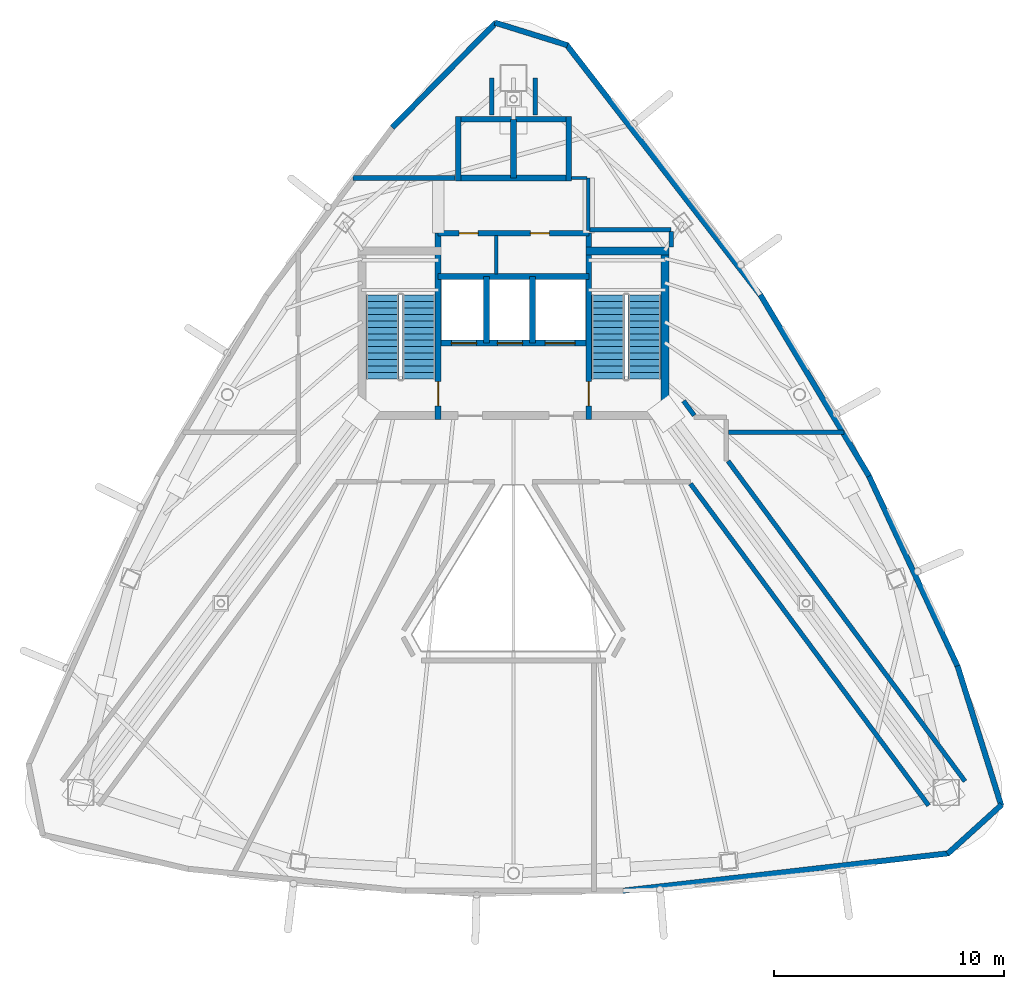
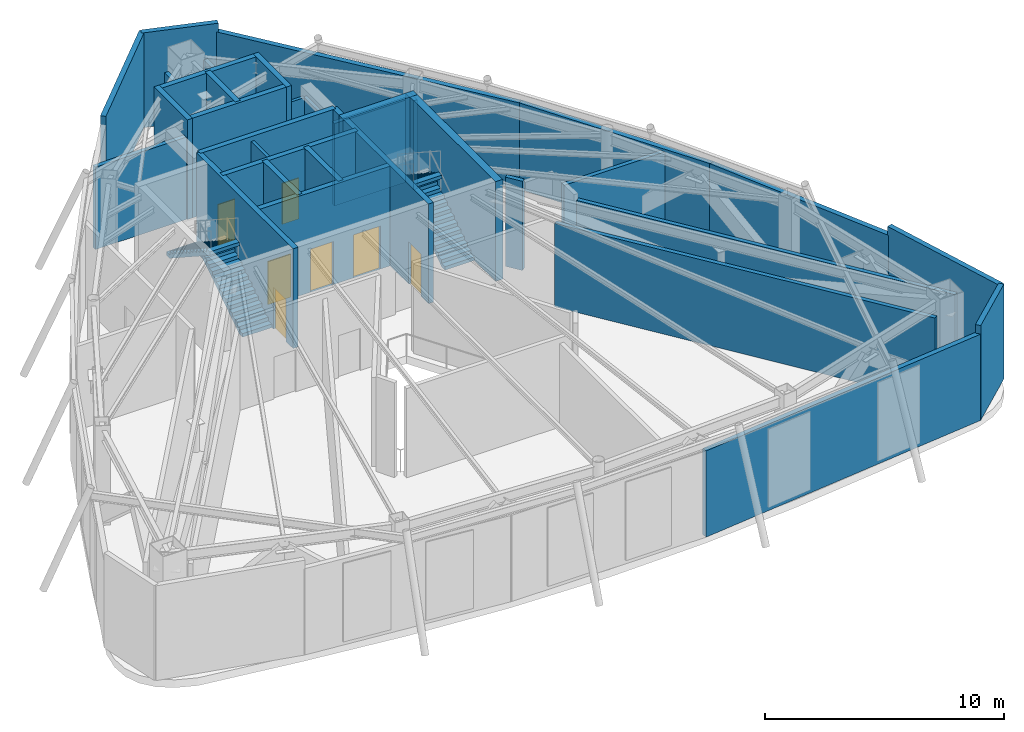
# One storey, part 6 of 9: 34 walls, 7 doors, 4 stair flights, 7 openings, 2 elements without a shape of their own.
"""IFC4 building model written with IfcOpenShell, lengths in metres."""

from ifc_helpers import new_model, si_unit, direction, frame, frame_2d, origin, place, context, subcontext, project, spatial, polyline, rectangle, outline, extrude, material, layer, layer_set, type_object, element, fill, aggregate, save


model = new_model("IFC4")

# Units and contexts
model_context = context("Model", 3, precision=1e-05, world=origin(), true_north=direction((0.0, 1.0)))
body_context = subcontext(model_context, "Body", "Model", "MODEL_VIEW")
ifc_project = project(units=[si_unit("LENGTHUNIT", "METRE"), si_unit("AREAUNIT", "SQUARE_METRE"), si_unit("VOLUMEUNIT", "CUBIC_METRE"), si_unit("PLANEANGLEUNIT", "RADIAN"), si_unit("MASSUNIT", "GRAM", prefix="KILO")], contexts=[model_context])

# Site, building, storey
site_placement = place(None, origin())
site = spatial("IfcSite", under=ifc_project, at=site_placement, CompositionType="ELEMENT")
building_placement = place(site_placement, origin())
building = spatial("IfcBuilding", under=site, at=building_placement, Name="Orvanel Arch Residences", CompositionType="ELEMENT")
storey_placement = place(building_placement, frame((0.0, 0.0, 281.0)))
storey = spatial("IfcBuildingStorey", under=building, at=storey_placement, Name="L80", CompositionType="ELEMENT", Elevation=281.0)

# Walls
ifc_material_1 = material(Name="Precast concrete N50 (50 MPa)", Category="concrete")
ifc_layer_1 = layer(ifc_material_1, 0.239990234375)
ifc_layer_set_1 = layer_set([ifc_layer_1], Name="Precast concrete N50 (50 MPa)")
wall_type_1 = type_object("IfcWallType", Name="EW-BAL-240", PredefinedType="SOLIDWALL", material=ifc_layer_set_1)
wall_1_placement = place(storey_placement, frame((37.68603515625, 6.073974609375, 0.0), z_axis=(0.0, 0.0, 1.0), x_axis=(0.993456918229, 0.114207493722, 0.0)))
element("IfcWall", 1, at=wall_1_placement, inside=storey, type_object=wall_type_1, Name="L80 Plant Acoustic Louvre Wall Face 2C", PredefinedType="SOLIDWALL", context=body_context, shape_type="SweptSolid", body=[
    extrude(rectangle(XDim=14.32470703125, YDim=0.239990234375, at=frame_2d((7.162353515625, 0.0))), origin(), (0.0, 0.0, 1.0), 4.4140625),
])
wall_2_placement = place(storey_placement, frame((52.31689453125, 15.7880859375, 0.0), z_axis=(0.0, 0.0, 1.0), x_axis=(-0.422348394187, 0.906433579435, 0.0)))
element("IfcWall", 2, at=wall_2_placement, inside=storey, type_object=wall_type_1, Name="L80 Plant Acoustic Louvre Wall Face 3A", PredefinedType="SOLIDWALL", context=body_context, shape_type="SweptSolid", body=[
    extrude(rectangle(XDim=9.23388671875, YDim=0.239990234375, at=frame_2d((4.616943359375, 0.0))), origin(), (0.0, 0.0, 1.0), 4.4140625),
])
wall_3_placement = place(storey_placement, frame((48.449951171875, 24.096923828125, 0.0), z_axis=(0.0, 0.0, 1.0), x_axis=(-0.514405830532, 0.857546874238, 0.0)))
element("IfcWall", 3, at=wall_3_placement, inside=storey, type_object=wall_type_1, Name="L80 Plant Acoustic Louvre Wall Face 3B", PredefinedType="SOLIDWALL", context=body_context, shape_type="SweptSolid", body=[
    extrude(rectangle(XDim=9.18310546875, YDim=0.239990234375, at=frame_2d((4.591552734375, 0.0))), origin(), (0.0, 0.0, 1.0), 4.4140625),
])
wall_4_placement = place(storey_placement, frame((43.764892578125, 31.9150390625, 0.0), z_axis=(0.0, 0.0, 1.0), x_axis=(-0.612242581767, 0.790669982402, 0.0)))
element("IfcWall", 4, at=wall_4_placement, inside=storey, type_object=wall_type_1, Name="L80 Plant Acoustic Louvre Wall Face 3C", PredefinedType="SOLIDWALL", context=body_context, shape_type="SweptSolid", body=[
    extrude(rectangle(XDim=13.837646484375, YDim=0.239990234375, at=frame_2d((6.9189453125, 0.0))), origin(), (0.0, 0.0, 1.0), 4.4140625),
])
wall_5_placement = place(storey_placement, frame((35.347900390625, 42.818115234375, 0.0), z_axis=(0.0, 0.0, 1.0), x_axis=(-0.954850251078, 0.29708752585, 0.0)))
element("IfcWall", 5, at=wall_5_placement, inside=storey, type_object=wall_type_1, Name="L80 Plant Corner Enclosure Wall", PredefinedType="SOLIDWALL", context=body_context, shape_type="SweptSolid", body=[
    extrude(rectangle(XDim=3.302001953125, YDim=0.239990234375, at=frame_2d((1.65087890625, 0.0))), origin(), (0.0, 0.0, 1.0), 4.85009765625),
])
wall_6_placement = place(storey_placement, frame((32.2529296875, 43.81396484375, 0.0), z_axis=(0.0, 0.0, 1.0), x_axis=(-0.702723344184, -0.711463211656, 0.0)))
element("IfcWall", 6, at=wall_6_placement, inside=storey, type_object=wall_type_1, Name="L80 Plant Corner Enclosure Wall", PredefinedType="SOLIDWALL", context=body_context, shape_type="SweptSolid", body=[
    extrude(rectangle(XDim=6.4248046875, YDim=0.239990234375, at=frame_2d((3.21240234375, 0.0))), origin(), (0.0, 0.0, 1.0), 4.85009765625),
])
wall_7_placement = place(storey_placement, frame((51.85693359375, 7.68310546875, 0.0), z_axis=(0.0, 0.0, 1.0), x_axis=(0.740561012004, 0.671989127516, 0.0)))
element("IfcWall", 7, at=wall_7_placement, inside=storey, type_object=wall_type_1, Name="L80 Plant Corner Enclosure Wall", PredefinedType="SOLIDWALL", context=body_context, shape_type="SweptSolid", body=[
    extrude(rectangle(XDim=3.182861328125, YDim=0.239990234375, at=frame_2d((1.59130859375, 0.0))), origin(), (0.0, 0.0, 1.0), 4.85009765625),
])
wall_8_placement = place(storey_placement, frame((54.197998046875, 9.764892578125, 0.0), z_axis=(0.0, 0.0, 1.0), x_axis=(-0.298725955942, 0.954338935204, 0.0)))
element("IfcWall", 8, at=wall_8_placement, inside=storey, type_object=wall_type_1, Name="L80 Plant Corner Enclosure Wall", PredefinedType="SOLIDWALL", context=body_context, shape_type="SweptSolid", body=[
    extrude(rectangle(XDim=6.38037109375, YDim=0.239990234375, at=frame_2d((3.190185546875, 0.0))), origin(), (0.0, 0.0, 1.0), 4.85009765625),
])

# Wall, opening, door
ifc_material_2 = material(Name="Concrete N50 (50 MPa)", Category="concrete")
ifc_layer_2 = layer(ifc_material_2, 0.25)
ifc_layer_set_2 = layer_set([ifc_layer_2], Name="Concrete N50 (50 MPa)")
wall_type_2 = type_object("IfcWallType", Name="SW-CORE-250", PredefinedType="SHEAR", material=ifc_layer_set_2)
wall_9_placement = place(storey_placement, frame((29.72509765625, 26.550048828125, 0.0), z_axis=(0.0, 0.0, 1.0), x_axis=(0.0, 1.0, 0.0)))
wall_9 = element("IfcWall", 9, at=wall_9_placement, inside=storey, type_object=wall_type_2, Name="L80 West Inner Core Spine Shear Wall", PredefinedType="SHEAR", context=body_context, shape_type="SweptSolid", body=[
    extrude(rectangle(XDim=8.099853515625, YDim=0.25, at=frame_2d((4.0498046875, 0.0))), origin(), (0.0, 0.0, 1.0), 5.10009765625),
])
opening_1_placement = place(wall_9_placement, frame((0.60009765625, 0.0, 0.0)))
opening_1 = element("IfcOpeningElement", 10, at=opening_1_placement, cuts=wall_9, Name="Opening DF-120", PredefinedType="OPENING", context=body_context, shape_type="SweptSolid", body=[
    extrude(rectangle(XDim=1.050048828125, YDim=2.14990234375, at=frame_2d((0.52490234375, 1.074951171875))), frame((0.0, 0.135009765625, 0.0), z_axis=(0.0, -1.0, 0.0), x_axis=(1.0, 0.0, 0.0)), (0.0, 0.0, 1.0), 0.27001953125),
])
ifc_material_3 = material(Name="Galvanised steel fire-resisting door assembly", Category="steel")
door_type_1 = type_object("IfcDoorType", Name="DR-FD120-1050", OperationType="NOTDEFINED", PredefinedType="DOOR", material=ifc_material_3)
door_1_placement = place(opening_1_placement, origin())
door_1 = element("IfcDoor", 11, at=door_1_placement, inside=storey, type_object=door_type_1, Name="DR-L80-ST1 L80 Stair 1 Fire Door", OperationType="SINGLE_SWING_LEFT", OverallHeight=2.14990234375, OverallWidth=1.050048828125, PredefinedType="DOOR", context=body_context, shape_type="SweptSolid", body=[
    extrude(rectangle(XDim=1.050048828125, YDim=2.14990234375, at=frame_2d((0.52490234375, 1.074951171875))), frame((0.0, 0.02490234375, 0.0), z_axis=(0.0, -1.0, 0.0), x_axis=(1.0, 0.0, 0.0)), (0.0, 0.0, 1.0), 0.050048828125),
])
fill(opening_1, door_1)

wall_10_placement = place(storey_placement, frame((36.27490234375, 26.550048828125, 0.0), z_axis=(0.0, 0.0, 1.0), x_axis=(0.0, 1.0, 0.0)))
wall_10 = element("IfcWall", 12, at=wall_10_placement, inside=storey, type_object=wall_type_2, Name="L80 East Inner Core Spine Shear Wall", PredefinedType="SHEAR", context=body_context, shape_type="SweptSolid", body=[
    extrude(rectangle(XDim=8.099853515625, YDim=0.25, at=frame_2d((4.0498046875, 0.0))), origin(), (0.0, 0.0, 1.0), 5.10009765625),
])
opening_2_placement = place(wall_10_placement, frame((0.60009765625, 0.0, 0.0)))
opening_2 = element("IfcOpeningElement", 13, at=opening_2_placement, cuts=wall_10, Name="Opening DF-120", PredefinedType="OPENING", context=body_context, shape_type="SweptSolid", body=[
    extrude(rectangle(XDim=1.050048828125, YDim=2.14990234375, at=frame_2d((0.52490234375, 1.074951171875))), frame((0.0, 0.135009765625, 0.0), z_axis=(0.0, -1.0, 0.0), x_axis=(1.0, 0.0, 0.0)), (0.0, 0.0, 1.0), 0.27001953125),
])
door_2_placement = place(opening_2_placement, origin())
door_2 = element("IfcDoor", 14, at=door_2_placement, inside=storey, type_object=door_type_1, Name="DR-L80-ST2 L80 Stair 2 Fire Door", OperationType="SINGLE_SWING_RIGHT", OverallHeight=2.14990234375, OverallWidth=1.050048828125, PredefinedType="DOOR", context=body_context, shape_type="SweptSolid", body=[
    extrude(rectangle(XDim=1.050048828125, YDim=2.14990234375, at=frame_2d((0.52490234375, 1.074951171875))), frame((0.0, 0.02490234375, 0.0), z_axis=(0.0, -1.0, 0.0), x_axis=(1.0, 0.0, 0.0)), (0.0, 0.0, 1.0), 0.050048828125),
])
fill(opening_2, door_2)

# Wall, openings, doors
wall_11_placement = place(storey_placement, frame((36.27490234375, 29.875, 0.0), z_axis=(0.0, 0.0, 1.0), x_axis=(-1.0, 0.0, 0.0)))
wall_11 = element("IfcWall", 15, at=wall_11_placement, inside=storey, type_object=wall_type_2, Name="L80 Emergency Lift Front Core Shear Wall", PredefinedType="SHEAR", context=body_context, shape_type="SweptSolid", body=[
    extrude(rectangle(XDim=6.5498046875, YDim=0.25, at=frame_2d((3.27490234375, 0.0))), origin(), (0.0, 0.0, 1.0), 5.10009765625),
])
opening_3_placement = place(wall_11_placement, frame((4.875, 0.0, 0.0)))
opening_3 = element("IfcOpeningElement", 16, at=opening_3_placement, cuts=wall_11, Name="Opening LD-110", PredefinedType="OPENING", context=body_context, shape_type="SweptSolid", body=[
    extrude(rectangle(XDim=1.10009765625, YDim=2.199951171875, at=frame_2d((0.550048828125, 1.10009765625))), frame((0.0, 0.135009765625, 0.0), z_axis=(0.0, -1.0, 0.0), x_axis=(1.0, 0.0, 0.0)), (0.0, 0.0, 1.0), 0.27001953125),
])
opening_4_placement = place(wall_11_placement, frame((2.875, 0.0, 0.0)))
opening_4 = element("IfcOpeningElement", 17, at=opening_4_placement, cuts=wall_11, Name="Opening LD-110", PredefinedType="OPENING", context=body_context, shape_type="SweptSolid", body=[
    extrude(rectangle(XDim=1.10009765625, YDim=2.199951171875, at=frame_2d((0.550048828125, 1.10009765625))), frame((0.0, 0.135009765625, 0.0), z_axis=(0.0, -1.0, 0.0), x_axis=(1.0, 0.0, 0.0)), (0.0, 0.0, 1.0), 0.27001953125),
])
opening_5_placement = place(wall_11_placement, frame((0.60009765625, 0.0, 0.0)))
opening_5 = element("IfcOpeningElement", 18, at=opening_5_placement, cuts=wall_11, Name="Opening LD-130", PredefinedType="OPENING", context=body_context, shape_type="SweptSolid", body=[
    extrude(rectangle(XDim=1.300048828125, YDim=2.199951171875, at=frame_2d((0.64990234375, 1.10009765625))), frame((0.0, 0.135009765625, 0.0), z_axis=(0.0, -1.0, 0.0), x_axis=(1.0, 0.0, 0.0)), (0.0, 0.0, 1.0), 0.27001953125),
])
door_type_2 = type_object("IfcDoorType", Name="DR-LFT-1100", OperationType="NOTDEFINED", PredefinedType="DOOR", material=ifc_material_3)
door_3_placement = place(opening_3_placement, origin())
door_3 = element("IfcDoor", 19, at=door_3_placement, inside=storey, type_object=door_type_2, Name="LD-F1-L80 L80 Lift F1 Sliding Landing Door", OperationType="DOUBLE_DOOR_SLIDING", OverallHeight=2.199951171875, OverallWidth=1.10009765625, PredefinedType="DOOR", context=body_context, shape_type="SweptSolid", body=[
    extrude(rectangle(XDim=1.10009765625, YDim=2.199951171875, at=frame_2d((0.550048828125, 1.10009765625))), frame((0.0, 0.02490234375, 0.0), z_axis=(0.0, -1.0, 0.0), x_axis=(1.0, 0.0, 0.0)), (0.0, 0.0, 1.0), 0.050048828125),
])
fill(opening_3, door_3)
door_4_placement = place(opening_4_placement, origin())
door_4 = element("IfcDoor", 20, at=door_4_placement, inside=storey, type_object=door_type_2, Name="LD-F2-L80 L80 Lift F2 Sliding Landing Door", OperationType="DOUBLE_DOOR_SLIDING", OverallHeight=2.199951171875, OverallWidth=1.10009765625, PredefinedType="DOOR", context=body_context, shape_type="SweptSolid", body=[
    extrude(rectangle(XDim=1.10009765625, YDim=2.199951171875, at=frame_2d((0.550048828125, 1.10009765625))), frame((0.0, 0.02490234375, 0.0), z_axis=(0.0, -1.0, 0.0), x_axis=(1.0, 0.0, 0.0)), (0.0, 0.0, 1.0), 0.050048828125),
])
fill(opening_4, door_4)
door_type_3 = type_object("IfcDoorType", Name="DR-LFT-1300", OperationType="NOTDEFINED", PredefinedType="DOOR", material=ifc_material_3)
door_5_placement = place(opening_5_placement, origin())
door_5 = element("IfcDoor", 21, at=door_5_placement, inside=storey, type_object=door_type_3, Name="LD-G1-L80 L80 Lift G1 Sliding Landing Door", OperationType="DOUBLE_DOOR_SLIDING", OverallHeight=2.199951171875, OverallWidth=1.300048828125, PredefinedType="DOOR", context=body_context, shape_type="SweptSolid", body=[
    extrude(rectangle(XDim=1.300048828125, YDim=2.199951171875, at=frame_2d((0.64990234375, 1.10009765625))), frame((0.0, 0.02490234375, 0.0), z_axis=(0.0, -1.0, 0.0), x_axis=(1.0, 0.0, 0.0)), (0.0, 0.0, 1.0), 0.050048828125),
])
fill(opening_5, door_5)

# Walls
wall_12_placement = place(storey_placement, frame((29.72509765625, 32.77490234375, 0.0), z_axis=(0.0, 0.0, 1.0), x_axis=(1.0, 0.0, 0.0)))
element("IfcWall", 22, at=wall_12_placement, inside=storey, type_object=wall_type_2, Name="L80 Emergency Lift Back Core Shear Wall", PredefinedType="SHEAR", context=body_context, shape_type="SweptSolid", body=[
    extrude(rectangle(XDim=6.5498046875, YDim=0.25, at=frame_2d((3.27490234375, 0.0))), origin(), (0.0, 0.0, 1.0), 5.10009765625),
])
for number, where, z_axis, x_axis, name in (
    (23, (31.824951171875, 29.875, 0.0), (0.0, 0.0, 1.0), (0.0, 1.0, 0.0), "L80 Emergency Lift Inter-Shaft Wall F12"),
    (24, (33.824951171875, 29.875, 0.0), (0.0, 0.0, 1.0), (0.0, 1.0, 0.0), "L80 Emergency Lift Inter-Shaft Wall F2G"),
):
    element("IfcWall", number, at=place(storey_placement, frame(where, z_axis=z_axis, x_axis=x_axis)), inside=storey, type_object=wall_type_2, Name=name, PredefinedType="SHEAR", context=body_context, shape_type="SweptSolid", body=[
        extrude(rectangle(XDim=2.89990234375, YDim=0.25, at=frame_2d((1.449951171875, 0.0))), origin(), (0.0, 0.0, 1.0), 5.10009765625),
    ])

# Wall, openings, doors
wall_13_placement = place(storey_placement, frame((29.72509765625, 34.64990234375, 0.0), z_axis=(0.0, 0.0, 1.0), x_axis=(1.0, 0.0, 0.0)))
wall_13 = element("IfcWall", 25, at=wall_13_placement, inside=storey, type_object=wall_type_2, Name="L80 Core Service Band North Shear Wall", PredefinedType="SHEAR", context=body_context, shape_type="SweptSolid", body=[
    extrude(rectangle(XDim=6.5498046875, YDim=0.25, at=frame_2d((3.27490234375, 0.0))), origin(), (0.0, 0.0, 1.0), 5.10009765625),
])
opening_6_placement = place(wall_13_placement, frame((0.9150390625, 0.0, 0.0)))
opening_6 = element("IfcOpeningElement", 26, at=opening_6_placement, cuts=wall_13, Name="Opening DS-082", PredefinedType="OPENING", context=body_context, shape_type="SweptSolid", body=[
    extrude(rectangle(XDim=0.820068359375, YDim=2.10009765625, at=frame_2d((0.41015625, 1.050048828125))), frame((0.0, 0.135009765625, 0.0), z_axis=(0.0, -1.0, 0.0), x_axis=(1.0, 0.0, 0.0)), (0.0, 0.0, 1.0), 0.27001953125),
])
opening_7_placement = place(wall_13_placement, frame((4.014892578125, 0.0, 0.0)))
opening_7 = element("IfcOpeningElement", 27, at=opening_7_placement, cuts=wall_13, Name="Opening DW-082", PredefinedType="OPENING", context=body_context, shape_type="SweptSolid", body=[
    extrude(rectangle(XDim=0.820068359375, YDim=2.10009765625, at=frame_2d((0.41015625, 1.050048828125))), frame((0.0, 0.135009765625, 0.0), z_axis=(0.0, -1.0, 0.0), x_axis=(1.0, 0.0, 0.0)), (0.0, 0.0, 1.0), 0.27001953125),
])
door_type_4 = type_object("IfcDoorType", Name="DR-SVC-820", OperationType="NOTDEFINED", PredefinedType="DOOR", material=ifc_material_3)
door_6_placement = place(opening_6_placement, origin())
door_6 = element("IfcDoor", 28, at=door_6_placement, inside=storey, type_object=door_type_4, Name="DR-L80-CSVC-1 L80 Floor Cleaner's Store Door", OperationType="SINGLE_SWING_LEFT", OverallHeight=2.10009765625, OverallWidth=0.820068359375, PredefinedType="DOOR", context=body_context, shape_type="SweptSolid", body=[
    extrude(rectangle(XDim=0.820068359375, YDim=2.10009765625, at=frame_2d((0.41015625, 1.050048828125))), frame((0.0, 0.02490234375, 0.0), z_axis=(0.0, -1.0, 0.0), x_axis=(1.0, 0.0, 0.0)), (0.0, 0.0, 1.0), 0.050048828125),
])
fill(opening_6, door_6)
ifc_material_4 = material(Name="Solid-core European oak veneer fire door leaf", Category="wood")
door_type_5 = type_object("IfcDoorType", Name="DR-WET-820", OperationType="NOTDEFINED", PredefinedType="DOOR", material=ifc_material_4)
door_7_placement = place(opening_7_placement, origin())
door_7 = element("IfcDoor", 29, at=door_7_placement, inside=storey, type_object=door_type_5, Name="DR-L80-CSVC-2 L80 Core Accessible WC Door", OperationType="SINGLE_SWING_LEFT", OverallHeight=2.10009765625, OverallWidth=0.820068359375, PredefinedType="DOOR", context=body_context, shape_type="SweptSolid", body=[
    extrude(rectangle(XDim=0.820068359375, YDim=2.10009765625, at=frame_2d((0.41015625, 1.050048828125))), frame((0.0, 0.02490234375, 0.0), z_axis=(0.0, -1.0, 0.0), x_axis=(1.0, 0.0, 0.0)), (0.0, 0.0, 1.0), 0.050048828125),
])
fill(opening_7, door_7)

# Walls
for number, where, z_axis, x_axis, name in (
    (30, (35.52490234375, 37.050048828125, 0.0), (0.0, 0.0, 1.0), (-1.0, 0.0, 0.0), "L80 Passenger Lift Bank Front Shear Wall"),
    (31, (30.47509765625, 39.60009765625, 0.0), (0.0, 0.0, 1.0), (1.0, 0.0, 0.0), "L80 Passenger Lift Bank North Shear Wall"),
):
    element("IfcWall", number, at=place(storey_placement, frame(where, z_axis=z_axis, x_axis=x_axis)), inside=storey, type_object=wall_type_2, Name=name, PredefinedType="SHEAR", context=body_context, shape_type="SweptSolid", body=[
        extrude(rectangle(XDim=5.0498046875, YDim=0.25, at=frame_2d((2.52490234375, 0.0))), origin(), (0.0, 0.0, 1.0), 5.10009765625),
    ])
for number, where, z_axis, x_axis, name in (
    (32, (30.60009765625, 36.925048828125, 0.0), (0.0, 0.0, 1.0), (0.0, 1.0, 0.0), "L80 Passenger Lift Bank West Shear Wall"),
    (33, (35.39990234375, 36.925048828125, 0.0), (0.0, 0.0, 1.0), (0.0, 1.0, 0.0), "L80 Passenger Lift Bank East Shear Wall"),
):
    element("IfcWall", number, at=place(storey_placement, frame(where, z_axis=z_axis, x_axis=x_axis)), inside=storey, type_object=wall_type_2, Name=name, PredefinedType="SHEAR", context=body_context, shape_type="SweptSolid", body=[
        extrude(rectangle(XDim=2.800048828125, YDim=0.25, at=frame_2d((1.39990234375, 0.0))), origin(), (0.0, 0.0, 1.0), 5.10009765625),
    ])
wall_14_placement = place(storey_placement, frame((33.0, 37.050048828125, 0.0), z_axis=(0.0, 0.0, 1.0), x_axis=(0.0, 1.0, 0.0)))
element("IfcWall", 34, at=wall_14_placement, inside=storey, type_object=wall_type_2, Name="L80 Passenger Lift Inter-Shaft Wall P56", PredefinedType="SHEAR", context=body_context, shape_type="SweptSolid", body=[
    extrude(rectangle(XDim=2.550048828125, YDim=0.25, at=frame_2d((1.27490234375, 0.0))), origin(), (0.0, 0.0, 1.0), 5.10009765625),
])
ifc_layer_3 = layer(ifc_material_2, 0.35009765625)
ifc_layer_set_3 = layer_set([ifc_layer_3], Name="Concrete N50 (50 MPa)")
wall_type_3 = type_object("IfcWallType", Name="SW-CORE-350", PredefinedType="SHEAR", material=ifc_layer_set_3)
wall_15_placement = place(storey_placement, frame((39.574951171875, 26.550048828125, 0.0), z_axis=(0.0, 0.0, 1.0), x_axis=(0.0, 1.0, 0.0)))
element("IfcWall", 35, at=wall_15_placement, inside=storey, type_object=wall_type_3, Name="L80 East Stair Shear Wall", PredefinedType="SHEAR", context=body_context, shape_type="SweptSolid", body=[
    extrude(rectangle(XDim=7.5, YDim=0.35009765625, at=frame_2d((3.75, 0.0))), origin(), (0.0, 0.0, 1.0), 5.10009765625),
])
wall_16_placement = place(storey_placement, frame((36.14990234375, 33.875, 0.0), z_axis=(0.0, 0.0, 1.0), x_axis=(1.0, 0.0, 0.0)))
element("IfcWall", 36, at=wall_16_placement, inside=storey, type_object=wall_type_3, Name="L80 East Stair North Shear Wall", PredefinedType="SHEAR", context=body_context, shape_type="SweptSolid", body=[
    extrude(rectangle(XDim=3.60009765625, YDim=0.35009765625, at=frame_2d((1.800048828125, 0.0))), origin(), (0.0, 0.0, 1.0), 5.10009765625),
])
ifc_material_5 = material(Name="Fire-rated plasterboard lined steel stud partition", Category="steel")
ifc_layer_4 = layer(ifc_material_5, 0.14990234375)
ifc_layer_set_4 = layer_set([ifc_layer_4], Name="Fire-rated plasterboard lined steel stud partition")
wall_type_4 = type_object("IfcWallType", Name="W-COR-150", PredefinedType="PARTITIONING", material=ifc_layer_set_4)
wall_17_placement = place(storey_placement, frame((36.25, 34.760009765625, 0.0), z_axis=(0.0, 0.0, 1.0), x_axis=(0.0, 1.0, 0.0)))
element("IfcWall", 37, at=wall_17_placement, inside=storey, type_object=wall_type_4, Name="L80 Passenger Lift Lobby East Closure Wall", PredefinedType="PARTITIONING", context=body_context, shape_type="SweptSolid", body=[
    extrude(rectangle(XDim=2.2900390625, YDim=0.14990234375, at=frame_2d((1.14501953125, 0.0))), origin(), (0.0, 0.0, 1.0), 4.215087890625),
])
wall_18_placement = place(storey_placement, frame((35.52490234375, 37.050048828125, 0.0), z_axis=(0.0, 0.0, 1.0), x_axis=(1.0, 0.0, 0.0)))
element("IfcWall", 38, at=wall_18_placement, inside=storey, type_object=wall_type_4, Name="L80 Passenger Lift Lobby North-East Wall", PredefinedType="PARTITIONING", context=body_context, shape_type="SweptSolid", body=[
    extrude(rectangle(XDim=0.6650390625, YDim=0.14990234375, at=frame_2d((0.33251953125, 0.0))), origin(), (0.0, 0.0, 1.0), 4.215087890625),
])
ifc_layer_5 = layer(ifc_material_5, 0.199951171875)
ifc_layer_set_5 = layer_set([ifc_layer_5], Name="Fire-rated plasterboard lined steel stud partition")
wall_type_5 = type_object("IfcWallType", Name="W-PLT-200", PredefinedType="PARTITIONING", material=ifc_layer_set_5)
wall_19_placement = place(storey_placement, frame((26.0380859375, 37.050048828125, 0.0), z_axis=(0.0, 0.0, 1.0), x_axis=(1.0, 0.0, 0.0)))
element("IfcWall", 39, at=wall_19_placement, inside=storey, type_object=wall_type_5, Name="L80 Core Fire Wall", PredefinedType="PARTITIONING", context=body_context, shape_type="SweptSolid", body=[
    extrude(rectangle(XDim=4.411865234375, YDim=0.199951171875, at=frame_2d((2.2060546875, 0.0))), origin(), (0.0, 0.0, 1.0), 4.215087890625),
])
wall_20_placement = place(storey_placement, frame((36.31005859375, 34.800048828125, 0.0), z_axis=(0.0, 0.0, 1.0), x_axis=(1.0, 0.0, 0.0)))
element("IfcWall", 40, at=wall_20_placement, inside=storey, type_object=wall_type_5, Name="L80 Core Fire Wall", PredefinedType="PARTITIONING", context=body_context, shape_type="SweptSolid", body=[
    extrude(rectangle(XDim=3.5400390625, YDim=0.199951171875, at=frame_2d((1.77001953125, 0.0))), origin(), (0.0, 0.0, 1.0), 4.215087890625),
])
wall_21_placement = place(storey_placement, frame((39.85009765625, 34.715087890625, 0.0), z_axis=(0.0, 0.0, 1.0), x_axis=(0.0, -1.0, 0.0)))
element("IfcWall", 41, at=wall_21_placement, inside=storey, type_object=wall_type_5, Name="L80 Core Fire Wall", PredefinedType="PARTITIONING", context=body_context, shape_type="SweptSolid", body=[
    extrude(rectangle(XDim=0.6650390625, YDim=0.199951171875, at=frame_2d((0.33251953125, 0.0))), origin(), (0.0, 0.0, 1.0), 4.56298828125),
])
for number, where, z_axis, x_axis, name in (
    (42, (32.050048828125, 39.7900390625, 0.0), (0.0, 0.0, 1.0), (0.0, 1.0, 0.0), "L80 Outrigger Truss Fire Enclosure Wall"),
    (43, (33.949951171875, 41.39794921875, 0.0), (0.0, 0.0, 1.0), (0.0, -1.0, 0.0), "L80 Outrigger Truss Fire Enclosure Wall"),
):
    element("IfcWall", number, at=place(storey_placement, frame(where, z_axis=z_axis, x_axis=x_axis)), inside=storey, type_object=wall_type_5, Name=name, PredefinedType="PARTITIONING", context=body_context, shape_type="SweptSolid", body=[
        extrude(rectangle(XDim=1.60791015625, YDim=0.199951171875, at=frame_2d((0.803955078125, 0.0))), origin(), (0.0, 0.0, 1.0), 4.281982421875),
    ])
wall_22_placement = place(storey_placement, frame((40.388916015625, 27.364990234375, 0.0), z_axis=(0.0, 0.0, 1.0), x_axis=(0.594802738681, -0.803871695022, 0.0)))
element("IfcWall", 44, at=wall_22_placement, inside=storey, type_object=wall_type_5, Name="L80 Outrigger Truss Fire Enclosure Wall", PredefinedType="PARTITIONING", context=body_context, shape_type="SweptSolid", body=[
    extrude(rectangle(XDim=0.783447265625, YDim=0.199951171875, at=frame_2d((0.3916015625, 0.0))), origin(), (0.0, 0.0, 1.0), 4.56298828125),
])
wall_23_placement = place(storey_placement, frame((42.323974609375, 24.75, 0.0), z_axis=(0.0, 0.0, 1.0), x_axis=(0.594802346444, -0.803871985247, 0.0)))
element("IfcWall", 45, at=wall_23_placement, inside=storey, type_object=wall_type_5, Name="L80 Outrigger Truss Fire Enclosure Wall", PredefinedType="PARTITIONING", context=body_context, shape_type="SweptSolid", body=[
    extrude(rectangle(XDim=17.304931640625, YDim=0.199951171875, at=frame_2d((8.65234375, 0.0))), origin(), (0.0, 0.0, 1.0), 4.281982421875),
])
wall_24_placement = place(storey_placement, frame((51.0380859375, 9.785888671875, 0.0), z_axis=(0.0, 0.0, 1.0), x_axis=(-0.594979776733, 0.803740670415, 0.0)))
element("IfcWall", 46, at=wall_24_placement, inside=storey, type_object=wall_type_5, Name="L80 Outrigger Truss Fire Enclosure Wall", PredefinedType="PARTITIONING", context=body_context, shape_type="SweptSolid", body=[
    extrude(rectangle(XDim=17.392333984375, YDim=0.199951171875, at=frame_2d((8.6962890625, 0.0))), origin(), (0.0, 0.0, 1.0), 4.281982421875),
])
wall_25_placement = place(storey_placement, frame((42.3349609375, 26.0, 0.0), z_axis=(0.0, 0.0, 1.0), x_axis=(1.0, 0.0, 0.0)))
element("IfcWall", 47, at=wall_25_placement, inside=storey, type_object=wall_type_5, Name="L80 Fire Compartment Wall", PredefinedType="PARTITIONING", context=body_context, shape_type="SweptSolid", body=[
    extrude(rectangle(XDim=5.031982421875, YDim=0.199951171875, at=frame_2d((2.51611328125, 0.0))), origin(), (0.0, 0.0, 1.0), 4.281982421875),
])
ifc_layer_6 = layer(ifc_material_5, 0.14990234375)
ifc_layer_set_6 = layer_set([ifc_layer_6], Name="Fire-rated plasterboard lined steel stud partition")
wall_type_6 = type_object("IfcWallType", Name="W-ST-150", PredefinedType="PARTITIONING", material=ifc_layer_set_6)
wall_26_placement = place(storey_placement, frame((32.25, 32.885009765625, 0.0), z_axis=(0.0, 0.0, 1.0), x_axis=(0.0, 1.0, 0.0)))
element("IfcWall", 48, at=wall_26_placement, inside=storey, type_object=wall_type_6, Name="L80 Core Service Partition 1", PredefinedType="PARTITIONING", context=body_context, shape_type="SweptSolid", body=[
    extrude(rectangle(XDim=1.655029296875, YDim=0.14990234375, at=frame_2d((0.82763671875, 0.0))), origin(), (0.0, 0.0, 1.0), 4.85009765625),
])

# Stair, stair flights
stair_type = type_object("IfcStairType", Name="STR-DOG-181", PredefinedType="USERDEFINED", material=ifc_material_1)
stair_1_placement = place(storey_placement, origin())
stair_1 = element("IfcStair", 49, at=stair_1_placement, inside=storey, type_object=stair_type, Name="L80 Fire-Isolated Core Exit Stair 1", ObjectType="TWO_RETURN_STAIR", PredefinedType="USERDEFINED")
stair_flight_type_1 = type_object("IfcStairFlightType", Name="SFL-C1-181", PredefinedType="STRAIGHT", material=ifc_material_1)
stair_flight_1_placement = place(storey_placement, frame((28.889892578125, 28.320068359375, 0.0), z_axis=(0.0, 0.0, 1.0), x_axis=(0.0, 1.0, 0.0)))
stair_flight_1 = element("IfcStairFlight", 50, at=stair_flight_1_placement, type_object=stair_flight_type_1, Name="ST-1 flight 1", NumberOfRisers=14, NumberOfTreads=13, PredefinedType="STRAIGHT", RiserHeight=0.182142857, TreadLength=0.28, context=body_context, shape_type="SweptSolid", body=[
    extrude(outline(polyline([(0.0, 0.0), (0.0, 0.18212890625), (0.280029296875, 0.18212890625), (0.280029296875, 0.3642578125), (0.56005859375, 0.3642578125), (0.56005859375, 0.54638671875), (0.840087890625, 0.54638671875), (0.840087890625, 0.728515625), (1.1201171875, 0.728515625), (1.1201171875, 0.91064453125), (1.39990234375, 0.91064453125), (1.39990234375, 1.0927734375), (1.679931640625, 1.0927734375), (1.679931640625, 1.27490234375), (1.9599609375, 1.27490234375), (1.9599609375, 1.45703125), (2.239990234375, 1.45703125), (2.239990234375, 1.639404296875), (2.52001953125, 1.639404296875), (2.52001953125, 1.821533203125), (2.800048828125, 1.821533203125), (2.800048828125, 2.003662109375), (3.080078125, 2.003662109375), (3.080078125, 2.185791015625), (3.360107421875, 2.185791015625), (3.360107421875, 2.367919921875), (3.639892578125, 2.367919921875), (3.639892578125, 2.550048828125), (3.639892578125, 2.18896484375), (0.27490234375, 0.0), (0.0, 0.0)])), frame((0.0, 0.7099609375, 0.0), z_axis=(0.0, -1.0, 0.0), x_axis=(1.0, 0.0, 0.0)), (0.0, 0.0, 1.0), 1.419921875),
])
stair_flight_2_placement = place(storey_placement, frame((27.31005859375, 31.9599609375, 2.550048828125), z_axis=(0.0, 0.0, 1.0), x_axis=(0.0, -1.0, 0.0)))
stair_flight_2 = element("IfcStairFlight", 51, at=stair_flight_2_placement, type_object=stair_flight_type_1, Name="ST-1 flight 2", NumberOfRisers=14, NumberOfTreads=13, PredefinedType="STRAIGHT", RiserHeight=0.182142857, TreadLength=0.28, context=body_context, shape_type="SweptSolid", body=[
    extrude(outline(polyline([(0.0, 0.0), (0.0, 0.18212890625), (0.280029296875, 0.18212890625), (0.280029296875, 0.3642578125), (0.56005859375, 0.3642578125), (0.56005859375, 0.54638671875), (0.840087890625, 0.54638671875), (0.840087890625, 0.728515625), (1.1201171875, 0.728515625), (1.1201171875, 0.91064453125), (1.39990234375, 0.91064453125), (1.39990234375, 1.0927734375), (1.679931640625, 1.0927734375), (1.679931640625, 1.27490234375), (1.9599609375, 1.27490234375), (1.9599609375, 1.45703125), (2.239990234375, 1.45703125), (2.239990234375, 1.639404296875), (2.52001953125, 1.639404296875), (2.52001953125, 1.821533203125), (2.800048828125, 1.821533203125), (2.800048828125, 2.003662109375), (3.080078125, 2.003662109375), (3.080078125, 2.185791015625), (3.360107421875, 2.185791015625), (3.360107421875, 2.367919921875), (3.639892578125, 2.367919921875), (3.639892578125, 2.550048828125), (3.639892578125, 2.18896484375), (0.27490234375, 0.0), (0.0, 0.0)])), frame((0.0, 0.7099609375, 0.0), z_axis=(0.0, -1.0, 0.0), x_axis=(1.0, 0.0, 0.0)), (0.0, 0.0, 1.0), 1.419921875),
])
aggregate(stair_1, [stair_flight_1, stair_flight_2])

stair_2_placement = place(storey_placement, origin())
stair_2 = element("IfcStair", 52, at=stair_2_placement, inside=storey, type_object=stair_type, Name="L80 Fire-Isolated Core Exit Stair 2", ObjectType="TWO_RETURN_STAIR", PredefinedType="USERDEFINED")
stair_flight_type_2 = type_object("IfcStairFlightType", Name="SFL-C2-181", PredefinedType="STRAIGHT", material=ifc_material_1)
stair_flight_3_placement = place(storey_placement, frame((38.68994140625, 28.320068359375, 0.0), z_axis=(0.0, 0.0, 1.0), x_axis=(0.0, 1.0, 0.0)))
stair_flight_3 = element("IfcStairFlight", 53, at=stair_flight_3_placement, type_object=stair_flight_type_2, Name="ST-2 flight 1", NumberOfRisers=14, NumberOfTreads=13, PredefinedType="STRAIGHT", RiserHeight=0.182142857, TreadLength=0.28, context=body_context, shape_type="SweptSolid", body=[
    extrude(outline(polyline([(0.0, 0.0), (0.0, 0.18212890625), (0.280029296875, 0.18212890625), (0.280029296875, 0.3642578125), (0.56005859375, 0.3642578125), (0.56005859375, 0.54638671875), (0.840087890625, 0.54638671875), (0.840087890625, 0.728515625), (1.1201171875, 0.728515625), (1.1201171875, 0.91064453125), (1.39990234375, 0.91064453125), (1.39990234375, 1.0927734375), (1.679931640625, 1.0927734375), (1.679931640625, 1.27490234375), (1.9599609375, 1.27490234375), (1.9599609375, 1.45703125), (2.239990234375, 1.45703125), (2.239990234375, 1.639404296875), (2.52001953125, 1.639404296875), (2.52001953125, 1.821533203125), (2.800048828125, 1.821533203125), (2.800048828125, 2.003662109375), (3.080078125, 2.003662109375), (3.080078125, 2.185791015625), (3.360107421875, 2.185791015625), (3.360107421875, 2.367919921875), (3.639892578125, 2.367919921875), (3.639892578125, 2.550048828125), (3.639892578125, 2.18896484375), (0.27490234375, 0.0), (0.0, 0.0)])), frame((0.0, 0.7099609375, 0.0), z_axis=(0.0, -1.0, 0.0), x_axis=(1.0, 0.0, 0.0)), (0.0, 0.0, 1.0), 1.419921875),
])
stair_flight_4_placement = place(storey_placement, frame((37.110107421875, 31.9599609375, 2.550048828125), z_axis=(0.0, 0.0, 1.0), x_axis=(0.0, -1.0, 0.0)))
stair_flight_4 = element("IfcStairFlight", 54, at=stair_flight_4_placement, type_object=stair_flight_type_2, Name="ST-2 flight 2", NumberOfRisers=14, NumberOfTreads=13, PredefinedType="STRAIGHT", RiserHeight=0.182142857, TreadLength=0.28, context=body_context, shape_type="SweptSolid", body=[
    extrude(outline(polyline([(0.0, 0.0), (0.0, 0.18212890625), (0.280029296875, 0.18212890625), (0.280029296875, 0.3642578125), (0.56005859375, 0.3642578125), (0.56005859375, 0.54638671875), (0.840087890625, 0.54638671875), (0.840087890625, 0.728515625), (1.1201171875, 0.728515625), (1.1201171875, 0.91064453125), (1.39990234375, 0.91064453125), (1.39990234375, 1.0927734375), (1.679931640625, 1.0927734375), (1.679931640625, 1.27490234375), (1.9599609375, 1.27490234375), (1.9599609375, 1.45703125), (2.239990234375, 1.45703125), (2.239990234375, 1.639404296875), (2.52001953125, 1.639404296875), (2.52001953125, 1.821533203125), (2.800048828125, 1.821533203125), (2.800048828125, 2.003662109375), (3.080078125, 2.003662109375), (3.080078125, 2.185791015625), (3.360107421875, 2.185791015625), (3.360107421875, 2.367919921875), (3.639892578125, 2.367919921875), (3.639892578125, 2.550048828125), (3.639892578125, 2.18896484375), (0.27490234375, 0.0), (0.0, 0.0)])), frame((0.0, 0.7099609375, 0.0), z_axis=(0.0, -1.0, 0.0), x_axis=(1.0, 0.0, 0.0)), (0.0, 0.0, 1.0), 1.419921875),
])
aggregate(stair_2, [stair_flight_3, stair_flight_4])

save(model, "model.ifc")
